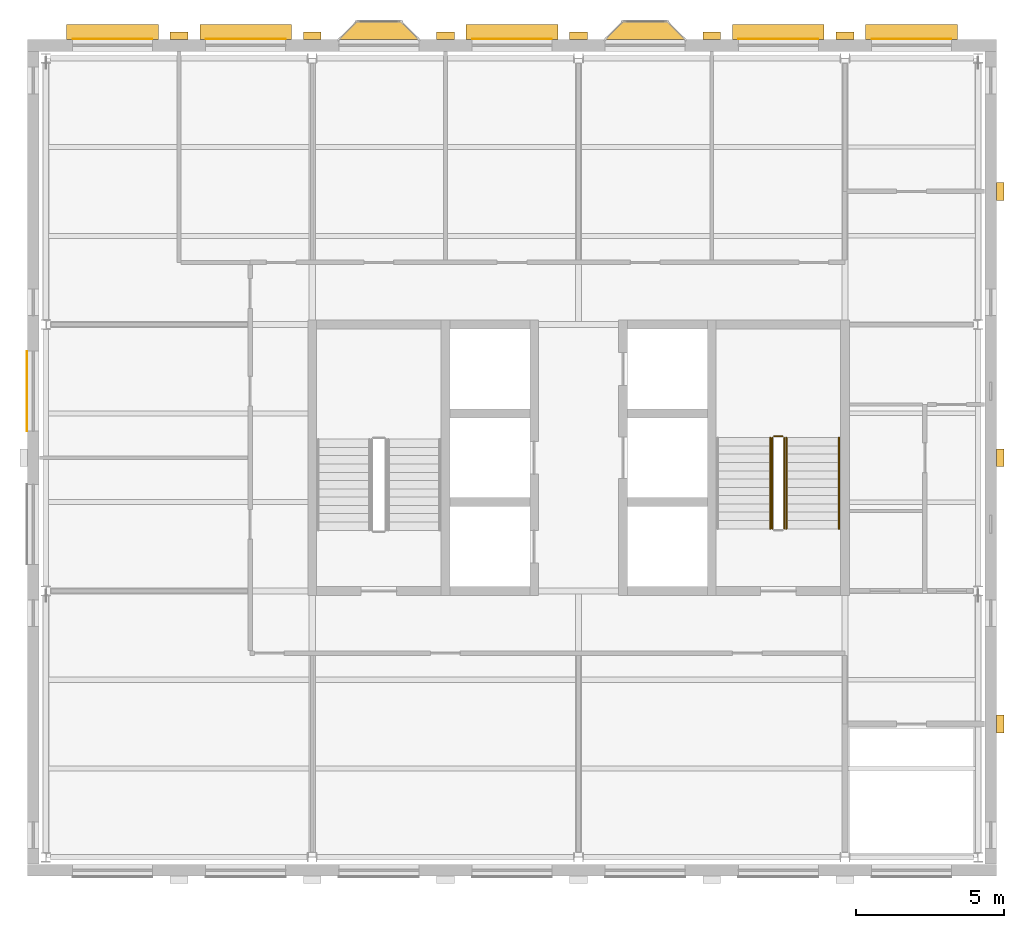
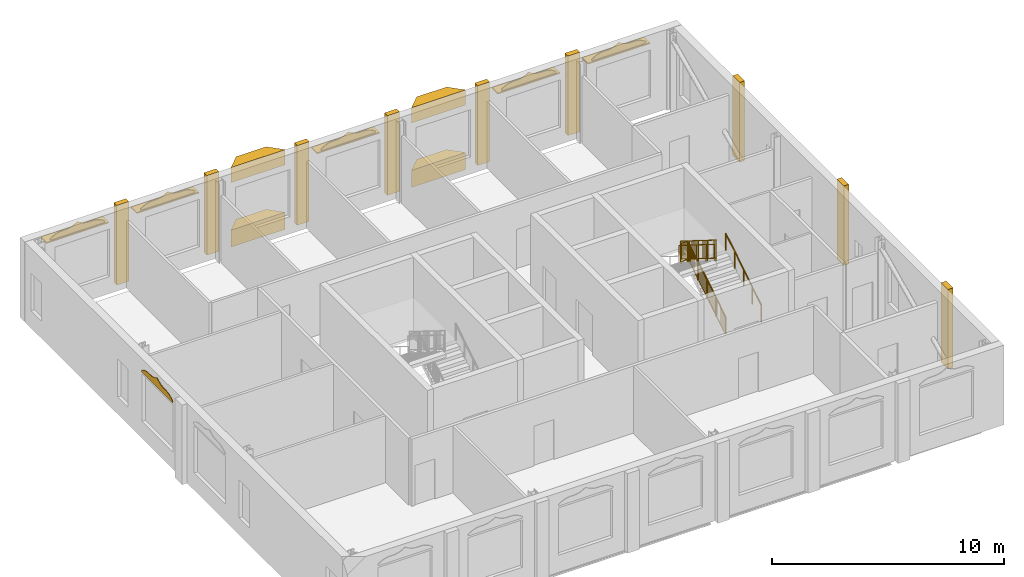
# One storey, part 9 of 9: 19 coverings, 6 railings, 5 shading devices.
"""IFC4 building model written with IfcOpenShell, lengths in metres."""

from ifc_helpers import new_model, si_unit, direction, frame, origin, origin_2d, place, context, subcontext, project, spatial, polyline, rectangle, circle, outline, extrude, material, layer, layer_set, type_object, element, save


model = new_model("IFC4")

# Units and contexts
model_context = context("Model", 3, precision=1e-05, world=origin(), true_north=direction((0.0, 1.0)))
body_context = subcontext(model_context, "Body", "Model", "MODEL_VIEW")
ifc_project = project(units=[si_unit("LENGTHUNIT", "METRE"), si_unit("AREAUNIT", "SQUARE_METRE"), si_unit("VOLUMEUNIT", "CUBIC_METRE"), si_unit("PLANEANGLEUNIT", "RADIAN"), si_unit("MASSUNIT", "GRAM", prefix="KILO")], contexts=[model_context])

# Site, building, storey
site_placement = place(None, origin())
site = spatial("IfcSite", under=ifc_project, at=site_placement, CompositionType="ELEMENT")
building_placement = place(site_placement, origin())
building = spatial("IfcBuilding", under=site, at=building_placement, Name="Hortulan Conservatory and Botanical Research Centre", CompositionType="ELEMENT")
storey_placement = place(building_placement, frame((0.0, 0.0, 57.0)))
storey = spatial("IfcBuildingStorey", under=building, at=storey_placement, Name="L13", CompositionType="ELEMENT", Elevation=57.0)

# Shading devices
ifc_material_1 = material(Name="Bronze-finished perforated aluminium", Category="aluminium")
ifc_layer_1 = layer(ifc_material_1, 0.06005859375)
ifc_layer_set_1 = layer_set([ifc_layer_1], Name="Catenary Hood 3100x500x60")
shading_device_type = type_object("IfcShadingDeviceType", Name="Catenary Hood 3100x500x60", PredefinedType="USERDEFINED", material=ifc_layer_set_1)
for number, where, z_axis, x_axis, name in (
    (1, (2.25, 27.885986328125, 3.409912109375), (0.0, 0.0, 1.0), (1.0, 0.0, 0.0), "Catenary hood"),
    (2, (6.75, 27.885986328125, 3.409912109375), (0.0, 0.0, 1.0), (1.0, 0.0, 0.0), "Catenary hood"),
    (3, (15.75, 27.885986328125, 3.409912109375), (0.0, 0.0, 1.0), (1.0, 0.0, 0.0), "Catenary hood"),
    (4, (24.75, 27.885986328125, 3.409912109375), (0.0, 0.0, 1.0), (1.0, 0.0, 0.0), "Catenary hood"),
    (5, (29.25, 27.885986328125, 3.409912109375), (0.0, 0.0, 1.0), (1.0, 0.0, 0.0), "Catenary hood"),
):
    element("IfcShadingDevice", number, at=place(storey_placement, frame(where, z_axis=z_axis, x_axis=x_axis)), inside=storey, type_object=shading_device_type, Name=name, ObjectType="Catenary hood", PredefinedType="USERDEFINED", context=body_context, shape_type="SweptSolid", body=[
        extrude(rectangle(XDim=3.10009765625, YDim=0.5, at=origin_2d()), origin(), (0.0, 0.0, 1.0), 0.06005859375),
    ])

# Coverings
ifc_material_2 = material(Name="Faience cladding, cream glaze (non-combustible)", Category="ceramic")
ifc_layer_2 = layer(ifc_material_2, 0.030029296875)
ifc_layer_set_2 = layer_set([ifc_layer_2], Name="Faience Ogee Head Panel Cream 2700x500")
covering_type_1 = type_object("IfcCoveringType", Name="Faience Ogee Head Panel Cream 2700x500", PredefinedType="CLADDING", material=ifc_layer_set_2)
for number, where, z_axis, x_axis, name in (
    (6, (0.89990234375, 27.65087890625, 3.52001953125), (0.0, 0.0, 1.0), (1.0, 0.0, 0.0), "Ogee head panel"),
    (7, (23.39990234375, 27.65087890625, 3.52001953125), (0.0, 0.0, 1.0), (1.0, 0.0, 0.0), "Ogee head panel"),
    (8, (27.89990234375, 27.65087890625, 3.52001953125), (0.0, 0.0, 1.0), (1.0, 0.0, 0.0), "Ogee head panel"),
):
    element("IfcCovering", number, at=place(storey_placement, frame(where, z_axis=z_axis, x_axis=x_axis)), inside=storey, type_object=covering_type_1, Name=name, PredefinedType="CLADDING", context=body_context, shape_type="SweptSolid", body=[
        extrude(outline(polyline([(0.0, 0.0), (2.699951171875, 0.0), (2.699951171875, 0.080078125), (2.58740234375, 0.148681640625), (2.47509765625, 0.208251953125), (2.362548828125, 0.252197265625), (2.25, 0.278076171875), (2.137451171875, 0.28857421875), (2.02490234375, 0.2900390625), (1.91259765625, 0.291259765625), (1.800048828125, 0.3017578125), (1.6875, 0.327880859375), (1.574951171875, 0.371826171875), (1.46240234375, 0.431396484375), (1.35009765625, 0.5), (1.237548828125, 0.431396484375), (1.125, 0.371826171875), (1.012451171875, 0.327880859375), (0.89990234375, 0.3017578125), (0.78759765625, 0.291259765625), (0.675048828125, 0.2900390625), (0.5625, 0.28857421875), (0.449951171875, 0.278076171875), (0.33740234375, 0.252197265625), (0.22509765625, 0.208251953125), (0.112548828125, 0.148681640625), (0.0, 0.080078125), (0.0, 0.0)])), frame((0.0, 0.01513671875, 0.0), z_axis=(0.0, -1.0, 0.0), x_axis=(1.0, 0.0, 0.0)), (0.0, 0.0, 1.0), 0.030029296875),
    ])
ifc_material_3 = material(Name="Faience cladding, waratah crimson glaze (non-combustible)", Category="ceramic")
ifc_layer_3 = layer(ifc_material_3, 0.030029296875)
ifc_layer_set_3 = layer_set([ifc_layer_3], Name="Faience Ogee Head Panel Crimson 2700x500")
covering_type_2 = type_object("IfcCoveringType", Name="Faience Ogee Head Panel Crimson 2700x500", PredefinedType="CLADDING", material=ifc_layer_set_3)
covering_1_placement = place(storey_placement, frame((5.39990234375, 27.65087890625, 3.52001953125), z_axis=(0.0, 0.0, 1.0), x_axis=(1.0, 0.0, 0.0)))
element("IfcCovering", 9, at=covering_1_placement, inside=storey, type_object=covering_type_2, Name="Ogee head panel", PredefinedType="CLADDING", context=body_context, shape_type="SweptSolid", body=[
    extrude(outline(polyline([(0.0, 0.0), (2.699951171875, 0.0), (2.699951171875, 0.080078125), (2.58740234375, 0.148681640625), (2.47509765625, 0.208251953125), (2.362548828125, 0.252197265625), (2.25, 0.278076171875), (2.137451171875, 0.28857421875), (2.02490234375, 0.2900390625), (1.91259765625, 0.291259765625), (1.800048828125, 0.3017578125), (1.6875, 0.327880859375), (1.574951171875, 0.371826171875), (1.46240234375, 0.431396484375), (1.35009765625, 0.5), (1.237548828125, 0.431396484375), (1.125, 0.371826171875), (1.012451171875, 0.327880859375), (0.89990234375, 0.3017578125), (0.78759765625, 0.291259765625), (0.675048828125, 0.2900390625), (0.5625, 0.28857421875), (0.449951171875, 0.278076171875), (0.33740234375, 0.252197265625), (0.22509765625, 0.208251953125), (0.112548828125, 0.148681640625), (0.0, 0.080078125), (0.0, 0.0)])), frame((0.0, 0.01513671875, 0.0), z_axis=(0.0, -1.0, 0.0), x_axis=(1.0, 0.0, 0.0)), (0.0, 0.0, 1.0), 0.030029296875),
])
ifc_material_4 = material(Name="Faience cladding, harbour teal glaze (non-combustible)", Category="ceramic")
ifc_layer_4 = layer(ifc_material_4, 0.030029296875)
ifc_layer_set_4 = layer_set([ifc_layer_4], Name="Faience Ogee Head Panel Teal 2700x500")
covering_type_3 = type_object("IfcCoveringType", Name="Faience Ogee Head Panel Teal 2700x500", PredefinedType="CLADDING", material=ifc_layer_set_4)
for number, where, z_axis, x_axis, name in (
    (10, (-0.639892578125, 14.39990234375, 3.52001953125), (0.0, 0.0, 1.0), (0.0, 1.0, 0.0), "Ogee head panel"),
    (11, (14.39990234375, 27.65087890625, 3.52001953125), (0.0, 0.0, 1.0), (1.0, 0.0, 0.0), "Ogee head panel"),
):
    element("IfcCovering", number, at=place(storey_placement, frame(where, z_axis=z_axis, x_axis=x_axis)), inside=storey, type_object=covering_type_3, Name=name, PredefinedType="CLADDING", context=body_context, shape_type="SweptSolid", body=[
        extrude(outline(polyline([(0.0, 0.0), (2.699951171875, 0.0), (2.699951171875, 0.080078125), (2.58740234375, 0.148681640625), (2.47509765625, 0.208251953125), (2.362548828125, 0.252197265625), (2.25, 0.278076171875), (2.137451171875, 0.28857421875), (2.02490234375, 0.2900390625), (1.91259765625, 0.291259765625), (1.800048828125, 0.3017578125), (1.6875, 0.327880859375), (1.574951171875, 0.371826171875), (1.46240234375, 0.431396484375), (1.35009765625, 0.5), (1.237548828125, 0.431396484375), (1.125, 0.371826171875), (1.012451171875, 0.327880859375), (0.89990234375, 0.3017578125), (0.78759765625, 0.291259765625), (0.675048828125, 0.2900390625), (0.5625, 0.28857421875), (0.449951171875, 0.278076171875), (0.33740234375, 0.252197265625), (0.22509765625, 0.208251953125), (0.112548828125, 0.148681640625), (0.0, 0.080078125), (0.0, 0.0)])), frame((0.0, 0.01513671875, 0.0), z_axis=(0.0, -1.0, 0.0), x_axis=(1.0, 0.0, 0.0)), (0.0, 0.0, 1.0), 0.030029296875),
    ])
ifc_material_5 = material(Name="Faience-faced brickwork masonry", Category="masonry")
covering_type_4 = type_object("IfcCoveringType", Name="Faience Oriel Base", PredefinedType="CLADDING", material=ifc_material_5)
covering_2_placement = place(storey_placement, origin())
element("IfcCovering", 12, at=covering_2_placement, inside=storey, type_object=covering_type_4, Name="Oriel base", PredefinedType="CLADDING", context=body_context, shape_type="SweptSolid", body=[
    extrude(outline(polyline([(9.89990234375, 27.635986328125), (10.5, 28.236083984375), (12.0, 28.236083984375), (12.60009765625, 27.635986328125), (9.89990234375, 27.635986328125)])), origin(), (0.0, 0.0, 1.0), 0.89990234375),
])
covering_3_placement = place(storey_placement, origin())
element("IfcCovering", 13, at=covering_3_placement, inside=storey, type_object=covering_type_4, Name="Oriel base", PredefinedType="CLADDING", context=body_context, shape_type="SweptSolid", body=[
    extrude(outline(polyline([(18.89990234375, 27.635986328125), (19.5, 28.236083984375), (21.0, 28.236083984375), (21.60009765625, 27.635986328125), (18.89990234375, 27.635986328125)])), origin(), (0.0, 0.0, 1.0), 0.89990234375),
])
covering_type_5 = type_object("IfcCoveringType", Name="Faience Oriel Frieze", PredefinedType="CLADDING", material=ifc_material_5)
covering_4_placement = place(storey_placement, frame((0.0, 0.0, 3.39990234375)))
element("IfcCovering", 14, at=covering_4_placement, inside=storey, type_object=covering_type_5, Name="Oriel frieze", PredefinedType="CLADDING", context=body_context, shape_type="SweptSolid", body=[
    extrude(outline(polyline([(9.89990234375, 27.635986328125), (10.5, 28.236083984375), (12.0, 28.236083984375), (12.60009765625, 27.635986328125), (9.89990234375, 27.635986328125)])), origin(), (0.0, 0.0, 1.0), 0.800048828125),
])
covering_5_placement = place(storey_placement, frame((0.0, 0.0, 3.39990234375)))
element("IfcCovering", 15, at=covering_5_placement, inside=storey, type_object=covering_type_5, Name="Oriel frieze", PredefinedType="CLADDING", context=body_context, shape_type="SweptSolid", body=[
    extrude(outline(polyline([(18.89990234375, 27.635986328125), (19.5, 28.236083984375), (21.0, 28.236083984375), (21.60009765625, 27.635986328125), (18.89990234375, 27.635986328125)])), origin(), (0.0, 0.0, 1.0), 0.800048828125),
])
ifc_layer_5 = layer(ifc_material_2, 0.25)
ifc_layer_set_5 = layer_set([ifc_layer_5], Name="Faience Pilaster 600x250")
covering_type_6 = type_object("IfcCoveringType", Name="Faience Pilaster 600x250", PredefinedType="CLADDING", material=ifc_layer_set_5)
for number, where, z_axis, x_axis, name in (
    (16, (4.5, 27.760986328125, 0.0), (0.0, 0.0, 1.0), (1.0, 0.0, 0.0), "Pier"),
    (17, (9.0, 27.760986328125, 0.0), (0.0, 0.0, 1.0), (1.0, 0.0, 0.0), "Pier"),
    (18, (13.5, 27.760986328125, 0.0), (0.0, 0.0, 1.0), (1.0, 0.0, 0.0), "Pier"),
    (19, (18.0, 27.760986328125, 0.0), (0.0, 0.0, 1.0), (1.0, 0.0, 0.0), "Pier"),
    (20, (22.5, 27.760986328125, 0.0), (0.0, 0.0, 1.0), (1.0, 0.0, 0.0), "Pier"),
    (21, (27.0, 27.760986328125, 0.0), (0.0, 0.0, 1.0), (1.0, 0.0, 0.0), "Pier"),
    (22, (32.25, 4.5, 0.0), (0.0, 0.0, 1.0), (0.0, 1.0, 0.0), "Pier"),
    (23, (32.25, 13.5, 0.0), (0.0, 0.0, 1.0), (0.0, 1.0, 0.0), "Pier"),
    (24, (32.25, 22.5, 0.0), (0.0, 0.0, 1.0), (0.0, 1.0, 0.0), "Pier"),
):
    element("IfcCovering", number, at=place(storey_placement, frame(where, z_axis=z_axis, x_axis=x_axis)), inside=storey, type_object=covering_type_6, Name=name, PredefinedType="CLADDING", context=body_context, shape_type="SweptSolid", body=[
        extrude(rectangle(XDim=0.60009765625, YDim=0.25, at=origin_2d()), origin(), (0.0, 0.0, 1.0), 4.199951171875),
    ])

# Railings
ifc_material_6 = material(Name="Steel balustrade, bronze-charcoal paint", Category="steel")
railing_type_1 = type_object("IfcRailingType", Name="Stair Guard 1100", PredefinedType="GUARDRAIL", material=ifc_material_6)
railing_1_placement = place(storey_placement, frame((24.949951171875, 11.10009765625, 0.175048828125)))
element("IfcRailing", 25, at=railing_1_placement, inside=storey, type_object=railing_type_1, Name="Guard T2 L13 stair 1", PredefinedType="GUARDRAIL", context=body_context, shape_type="SweptSolid", body=[
    extrude(circle(Radius=0.02392578125, at=origin_2d()), frame((0.0, 0.0, 1.076171875), z_axis=(0.0, 0.847979421464, 0.530029150871), x_axis=(-1.0, 0.0, 0.0)), (0.0, 0.0, 1.0), 3.632080078125),
    extrude(circle(Radius=0.02392578125, at=origin_2d()), frame((0.0, 0.0, 0.1240234375), z_axis=(0.0, 0.847979421464, 0.530029150871), x_axis=(-1.0, 0.0, 0.0)), (0.0, 0.0, 1.0), 3.632080078125),
    extrude(circle(Radius=0.008056640625, at=origin_2d()), frame((0.0, 0.090576171875, 0.204833984375)), (0.0, 0.0, 1.0), 0.90380859375),
    extrude(circle(Radius=0.008056640625, at=origin_2d()), frame((0.0, 0.18115234375, 0.261474609375)), (0.0, 0.0, 1.0), 0.90380859375),
    extrude(circle(Radius=0.008056640625, at=origin_2d()), frame((0.0, 0.271728515625, 0.318115234375)), (0.0, 0.0, 1.0), 0.90380859375),
    extrude(circle(Radius=0.008056640625, at=origin_2d()), frame((0.0, 0.3623046875, 0.374755859375)), (0.0, 0.0, 1.0), 0.90380859375),
    extrude(circle(Radius=0.008056640625, at=origin_2d()), frame((0.0, 0.452880859375, 0.431396484375)), (0.0, 0.0, 1.0), 0.90380859375),
    extrude(circle(Radius=0.008056640625, at=origin_2d()), frame((0.0, 0.54345703125, 0.48779296875)), (0.0, 0.0, 1.0), 0.90380859375),
    extrude(circle(Radius=0.008056640625, at=origin_2d()), frame((0.0, 0.634033203125, 0.54443359375)), (0.0, 0.0, 1.0), 0.90380859375),
    extrude(circle(Radius=0.008056640625, at=origin_2d()), frame((0.0, 0.724609375, 0.60107421875)), (0.0, 0.0, 1.0), 0.90380859375),
    extrude(circle(Radius=0.008056640625, at=origin_2d()), frame((0.0, 0.815185546875, 0.65771484375)), (0.0, 0.0, 1.0), 0.90380859375),
    extrude(circle(Radius=0.008056640625, at=origin_2d()), frame((0.0, 0.90576171875, 0.71435546875)), (0.0, 0.0, 1.0), 0.90380859375),
    extrude(circle(Radius=0.008056640625, at=origin_2d()), frame((0.0, 0.996337890625, 0.77099609375)), (0.0, 0.0, 1.0), 0.90380859375),
    extrude(circle(Radius=0.008056640625, at=origin_2d()), frame((0.0, 1.0869140625, 0.82763671875)), (0.0, 0.0, 1.0), 0.90380859375),
    extrude(circle(Radius=0.008056640625, at=origin_2d()), frame((0.0, 1.177490234375, 0.88427734375)), (0.0, 0.0, 1.0), 0.90380859375),
    extrude(circle(Radius=0.008056640625, at=origin_2d()), frame((0.0, 1.26806640625, 0.94091796875)), (0.0, 0.0, 1.0), 0.90380859375),
    extrude(circle(Radius=0.008056640625, at=origin_2d()), frame((0.0, 1.358642578125, 0.99755859375)), (0.0, 0.0, 1.0), 0.90380859375),
    extrude(circle(Radius=0.008056640625, at=origin_2d()), frame((0.0, 1.44921875, 1.05419921875)), (0.0, 0.0, 1.0), 0.90380859375),
    extrude(circle(Radius=0.008056640625, at=origin_2d()), frame((0.0, 1.5400390625, 1.11083984375)), (0.0, 0.0, 1.0), 0.90380859375),
    extrude(circle(Radius=0.008056640625, at=origin_2d()), frame((0.0, 1.630615234375, 1.167236328125)), (0.0, 0.0, 1.0), 0.90380859375),
    extrude(circle(Radius=0.008056640625, at=origin_2d()), frame((0.0, 1.72119140625, 1.223876953125)), (0.0, 0.0, 1.0), 0.90380859375),
    extrude(circle(Radius=0.008056640625, at=origin_2d()), frame((0.0, 1.811767578125, 1.280517578125)), (0.0, 0.0, 1.0), 0.90380859375),
    extrude(circle(Radius=0.008056640625, at=origin_2d()), frame((0.0, 1.90234375, 1.337158203125)), (0.0, 0.0, 1.0), 0.90380859375),
    extrude(circle(Radius=0.008056640625, at=origin_2d()), frame((0.0, 1.992919921875, 1.393798828125)), (0.0, 0.0, 1.0), 0.90380859375),
    extrude(circle(Radius=0.008056640625, at=origin_2d()), frame((0.0, 2.08349609375, 1.450439453125)), (0.0, 0.0, 1.0), 0.90380859375),
    extrude(circle(Radius=0.008056640625, at=origin_2d()), frame((0.0, 2.174072265625, 1.507080078125)), (0.0, 0.0, 1.0), 0.90380859375),
    extrude(circle(Radius=0.008056640625, at=origin_2d()), frame((0.0, 2.2646484375, 1.563720703125)), (0.0, 0.0, 1.0), 0.90380859375),
    extrude(circle(Radius=0.008056640625, at=origin_2d()), frame((0.0, 2.355224609375, 1.620361328125)), (0.0, 0.0, 1.0), 0.90380859375),
    extrude(circle(Radius=0.008056640625, at=origin_2d()), frame((0.0, 2.44580078125, 1.677001953125)), (0.0, 0.0, 1.0), 0.90380859375),
    extrude(circle(Radius=0.008056640625, at=origin_2d()), frame((0.0, 2.536376953125, 1.733642578125)), (0.0, 0.0, 1.0), 0.90380859375),
    extrude(circle(Radius=0.008056640625, at=origin_2d()), frame((0.0, 2.626953125, 1.7900390625)), (0.0, 0.0, 1.0), 0.90380859375),
    extrude(circle(Radius=0.008056640625, at=origin_2d()), frame((0.0, 2.717529296875, 1.8466796875)), (0.0, 0.0, 1.0), 0.90380859375),
    extrude(circle(Radius=0.008056640625, at=origin_2d()), frame((0.0, 2.80810546875, 1.9033203125)), (0.0, 0.0, 1.0), 0.90380859375),
    extrude(circle(Radius=0.008056640625, at=origin_2d()), frame((0.0, 2.898681640625, 1.9599609375)), (0.0, 0.0, 1.0), 0.90380859375),
    extrude(circle(Radius=0.008056640625, at=origin_2d()), frame((0.0, 2.9892578125, 2.0166015625)), (0.0, 0.0, 1.0), 0.90380859375),
    extrude(circle(Radius=0.02099609375, at=origin_2d()), origin(), (0.0, 0.0, 1.0), 1.052001953125),
    extrude(circle(Radius=0.02099609375, at=origin_2d()), frame((0.0, 0.77001953125, 0.481201171875)), (0.0, 0.0, 1.0), 1.052001953125),
    extrude(circle(Radius=0.02099609375, at=origin_2d()), frame((0.0, 1.5400390625, 0.96240234375)), (0.0, 0.0, 1.0), 1.052001953125),
    extrude(circle(Radius=0.02099609375, at=origin_2d()), frame((0.0, 2.309814453125, 1.44384765625)), (0.0, 0.0, 1.0), 1.052001953125),
    extrude(circle(Radius=0.02099609375, at=origin_2d()), frame((0.0, 3.079833984375, 1.925048828125)), (0.0, 0.0, 1.0), 1.052001953125),
])
railing_2_placement = place(storey_placement, frame((24.89990234375, 14.22998046875, 2.10009765625)))
element("IfcRailing", 26, at=railing_2_placement, inside=storey, type_object=railing_type_1, Name="Guard T2 L13 stair 2", PredefinedType="GUARDRAIL", context=body_context, shape_type="SweptSolid", body=[
    extrude(circle(Radius=0.02392578125, at=origin_2d()), frame((0.0, 0.0, 1.076171875), z_axis=(-1.0, 0.0, 0.0), x_axis=(0.0, -1.0, 0.0)), (0.0, 0.0, 1.0), 0.2998046875),
    extrude(circle(Radius=0.02392578125, at=origin_2d()), frame((0.0, 0.0, 0.1240234375), z_axis=(-1.0, 0.0, 0.0), x_axis=(0.0, -1.0, 0.0)), (0.0, 0.0, 1.0), 0.2998046875),
    extrude(circle(Radius=0.008056640625, at=origin_2d()), frame((-0.099853515625, 0.0, 0.148193359375)), (0.0, 0.0, 1.0), 0.90380859375),
    extrude(circle(Radius=0.008056640625, at=origin_2d()), frame((-0.199951171875, 0.0, 0.148193359375)), (0.0, 0.0, 1.0), 0.90380859375),
    extrude(circle(Radius=0.02099609375, at=origin_2d()), origin(), (0.0, 0.0, 1.0), 1.052001953125),
    extrude(circle(Radius=0.02099609375, at=origin_2d()), frame((-0.2998046875, 0.0, 0.0)), (0.0, 0.0, 1.0), 1.052001953125),
])
railing_3_placement = place(storey_placement, frame((24.550048828125, 14.179931640625, 2.27490234375)))
element("IfcRailing", 27, at=railing_3_placement, inside=storey, type_object=railing_type_1, Name="Guard T2 L13 stair 3", PredefinedType="GUARDRAIL", context=body_context, shape_type="SweptSolid", body=[
    extrude(circle(Radius=0.02392578125, at=origin_2d()), frame((0.0, 0.0, 1.076171875), z_axis=(0.0, -0.847979421464, 0.530029150871), x_axis=(1.0, 0.0, 0.0)), (0.0, 0.0, 1.0), 3.632080078125),
    extrude(circle(Radius=0.02392578125, at=origin_2d()), frame((0.0, 0.0, 0.1240234375), z_axis=(0.0, -0.847979421464, 0.530029150871), x_axis=(1.0, 0.0, 0.0)), (0.0, 0.0, 1.0), 3.632080078125),
    extrude(circle(Radius=0.008056640625, at=origin_2d()), frame((0.0, -0.090576171875, 0.204833984375)), (0.0, 0.0, 1.0), 0.90380859375),
    extrude(circle(Radius=0.008056640625, at=origin_2d()), frame((0.0, -0.18115234375, 0.261474609375)), (0.0, 0.0, 1.0), 0.90380859375),
    extrude(circle(Radius=0.008056640625, at=origin_2d()), frame((0.0, -0.271728515625, 0.318115234375)), (0.0, 0.0, 1.0), 0.90380859375),
    extrude(circle(Radius=0.008056640625, at=origin_2d()), frame((0.0, -0.3623046875, 0.374755859375)), (0.0, 0.0, 1.0), 0.90380859375),
    extrude(circle(Radius=0.008056640625, at=origin_2d()), frame((0.0, -0.452880859375, 0.431396484375)), (0.0, 0.0, 1.0), 0.90380859375),
    extrude(circle(Radius=0.008056640625, at=origin_2d()), frame((0.0, -0.54345703125, 0.48779296875)), (0.0, 0.0, 1.0), 0.90380859375),
    extrude(circle(Radius=0.008056640625, at=origin_2d()), frame((0.0, -0.634033203125, 0.54443359375)), (0.0, 0.0, 1.0), 0.90380859375),
    extrude(circle(Radius=0.008056640625, at=origin_2d()), frame((0.0, -0.724609375, 0.60107421875)), (0.0, 0.0, 1.0), 0.90380859375),
    extrude(circle(Radius=0.008056640625, at=origin_2d()), frame((0.0, -0.815185546875, 0.65771484375)), (0.0, 0.0, 1.0), 0.90380859375),
    extrude(circle(Radius=0.008056640625, at=origin_2d()), frame((0.0, -0.90576171875, 0.71435546875)), (0.0, 0.0, 1.0), 0.90380859375),
    extrude(circle(Radius=0.008056640625, at=origin_2d()), frame((0.0, -0.996337890625, 0.77099609375)), (0.0, 0.0, 1.0), 0.90380859375),
    extrude(circle(Radius=0.008056640625, at=origin_2d()), frame((0.0, -1.0869140625, 0.82763671875)), (0.0, 0.0, 1.0), 0.90380859375),
    extrude(circle(Radius=0.008056640625, at=origin_2d()), frame((0.0, -1.177490234375, 0.88427734375)), (0.0, 0.0, 1.0), 0.90380859375),
    extrude(circle(Radius=0.008056640625, at=origin_2d()), frame((0.0, -1.26806640625, 0.94091796875)), (0.0, 0.0, 1.0), 0.90380859375),
    extrude(circle(Radius=0.008056640625, at=origin_2d()), frame((0.0, -1.358642578125, 0.99755859375)), (0.0, 0.0, 1.0), 0.90380859375),
    extrude(circle(Radius=0.008056640625, at=origin_2d()), frame((0.0, -1.44921875, 1.05419921875)), (0.0, 0.0, 1.0), 0.90380859375),
    extrude(circle(Radius=0.008056640625, at=origin_2d()), frame((0.0, -1.5400390625, 1.11083984375)), (0.0, 0.0, 1.0), 0.90380859375),
    extrude(circle(Radius=0.008056640625, at=origin_2d()), frame((0.0, -1.630615234375, 1.167236328125)), (0.0, 0.0, 1.0), 0.90380859375),
    extrude(circle(Radius=0.008056640625, at=origin_2d()), frame((0.0, -1.72119140625, 1.223876953125)), (0.0, 0.0, 1.0), 0.90380859375),
    extrude(circle(Radius=0.008056640625, at=origin_2d()), frame((0.0, -1.811767578125, 1.280517578125)), (0.0, 0.0, 1.0), 0.90380859375),
    extrude(circle(Radius=0.008056640625, at=origin_2d()), frame((0.0, -1.90234375, 1.337158203125)), (0.0, 0.0, 1.0), 0.90380859375),
    extrude(circle(Radius=0.008056640625, at=origin_2d()), frame((0.0, -1.992919921875, 1.393798828125)), (0.0, 0.0, 1.0), 0.90380859375),
    extrude(circle(Radius=0.008056640625, at=origin_2d()), frame((0.0, -2.08349609375, 1.450439453125)), (0.0, 0.0, 1.0), 0.90380859375),
    extrude(circle(Radius=0.008056640625, at=origin_2d()), frame((0.0, -2.174072265625, 1.507080078125)), (0.0, 0.0, 1.0), 0.90380859375),
    extrude(circle(Radius=0.008056640625, at=origin_2d()), frame((0.0, -2.2646484375, 1.563720703125)), (0.0, 0.0, 1.0), 0.90380859375),
    extrude(circle(Radius=0.008056640625, at=origin_2d()), frame((0.0, -2.355224609375, 1.620361328125)), (0.0, 0.0, 1.0), 0.90380859375),
    extrude(circle(Radius=0.008056640625, at=origin_2d()), frame((0.0, -2.44580078125, 1.677001953125)), (0.0, 0.0, 1.0), 0.90380859375),
    extrude(circle(Radius=0.008056640625, at=origin_2d()), frame((0.0, -2.536376953125, 1.733642578125)), (0.0, 0.0, 1.0), 0.90380859375),
    extrude(circle(Radius=0.008056640625, at=origin_2d()), frame((0.0, -2.626953125, 1.7900390625)), (0.0, 0.0, 1.0), 0.90380859375),
    extrude(circle(Radius=0.008056640625, at=origin_2d()), frame((0.0, -2.717529296875, 1.8466796875)), (0.0, 0.0, 1.0), 0.90380859375),
    extrude(circle(Radius=0.008056640625, at=origin_2d()), frame((0.0, -2.80810546875, 1.9033203125)), (0.0, 0.0, 1.0), 0.90380859375),
    extrude(circle(Radius=0.008056640625, at=origin_2d()), frame((0.0, -2.898681640625, 1.9599609375)), (0.0, 0.0, 1.0), 0.90380859375),
    extrude(circle(Radius=0.008056640625, at=origin_2d()), frame((0.0, -2.9892578125, 2.0166015625)), (0.0, 0.0, 1.0), 0.90380859375),
    extrude(circle(Radius=0.02099609375, at=origin_2d()), origin(), (0.0, 0.0, 1.0), 1.052001953125),
    extrude(circle(Radius=0.02099609375, at=origin_2d()), frame((0.0, -0.77001953125, 0.481201171875)), (0.0, 0.0, 1.0), 1.052001953125),
    extrude(circle(Radius=0.02099609375, at=origin_2d()), frame((0.0, -1.5400390625, 0.96240234375)), (0.0, 0.0, 1.0), 1.052001953125),
    extrude(circle(Radius=0.02099609375, at=origin_2d()), frame((0.0, -2.309814453125, 1.44384765625)), (0.0, 0.0, 1.0), 1.052001953125),
    extrude(circle(Radius=0.02099609375, at=origin_2d()), frame((0.0, -3.079833984375, 1.925048828125)), (0.0, 0.0, 1.0), 1.052001953125),
])
ifc_material_7 = material(Name="Bronze handrail, polished", Category="metal")
railing_type_2 = type_object("IfcRailingType", Name="Stair Handrail 900", PredefinedType="HANDRAIL", material=ifc_material_7)
for number, where, name in (
    (28, (26.800048828125, 11.10009765625, 0.175048828125), "Handrail T2 L13 stair 1"),
    (29, (25.02001953125, 11.10009765625, 0.175048828125), "Handrail T2 L13 stair 3"),
):
    element("IfcRailing", number, at=place(storey_placement, frame(where)), inside=storey, type_object=railing_type_2, Name=name, PredefinedType="HANDRAIL", context=body_context, shape_type="SweptSolid", body=[
        extrude(circle(Radius=0.02392578125, at=origin_2d()), frame((0.0, 0.0, 0.8759765625), z_axis=(0.0, 0.847979421464, 0.530029150871), x_axis=(-1.0, 0.0, 0.0)), (0.0, 0.0, 1.0), 3.632080078125),
        extrude(circle(Radius=0.02099609375, at=origin_2d()), origin(), (0.0, 0.0, 1.0), 0.851806640625),
        extrude(circle(Radius=0.02099609375, at=origin_2d()), frame((0.0, 0.77001953125, 0.481201171875)), (0.0, 0.0, 1.0), 0.851806640625),
        extrude(circle(Radius=0.02099609375, at=origin_2d()), frame((0.0, 1.5400390625, 0.96240234375)), (0.0, 0.0, 1.0), 0.851806640625),
        extrude(circle(Radius=0.02099609375, at=origin_2d()), frame((0.0, 2.309814453125, 1.44384765625)), (0.0, 0.0, 1.0), 0.851806640625),
        extrude(circle(Radius=0.02099609375, at=origin_2d()), frame((0.0, 3.079833984375, 1.925048828125)), (0.0, 0.0, 1.0), 0.851806640625),
    ])
railing_4_placement = place(storey_placement, frame((24.47998046875, 14.179931640625, 2.27490234375)))
element("IfcRailing", 30, at=railing_4_placement, inside=storey, type_object=railing_type_2, Name="Handrail T2 L13 stair 4", PredefinedType="HANDRAIL", context=body_context, shape_type="SweptSolid", body=[
    extrude(circle(Radius=0.02392578125, at=origin_2d()), frame((0.0, 0.0, 0.8759765625), z_axis=(0.0, -0.847979421464, 0.530029150871), x_axis=(1.0, 0.0, 0.0)), (0.0, 0.0, 1.0), 3.632080078125),
    extrude(circle(Radius=0.02099609375, at=origin_2d()), origin(), (0.0, 0.0, 1.0), 0.851806640625),
    extrude(circle(Radius=0.02099609375, at=origin_2d()), frame((0.0, -0.77001953125, 0.481201171875)), (0.0, 0.0, 1.0), 0.851806640625),
    extrude(circle(Radius=0.02099609375, at=origin_2d()), frame((0.0, -1.5400390625, 0.96240234375)), (0.0, 0.0, 1.0), 0.851806640625),
    extrude(circle(Radius=0.02099609375, at=origin_2d()), frame((0.0, -2.309814453125, 1.44384765625)), (0.0, 0.0, 1.0), 0.851806640625),
    extrude(circle(Radius=0.02099609375, at=origin_2d()), frame((0.0, -3.079833984375, 1.925048828125)), (0.0, 0.0, 1.0), 0.851806640625),
])

save(model, "model.ifc")
